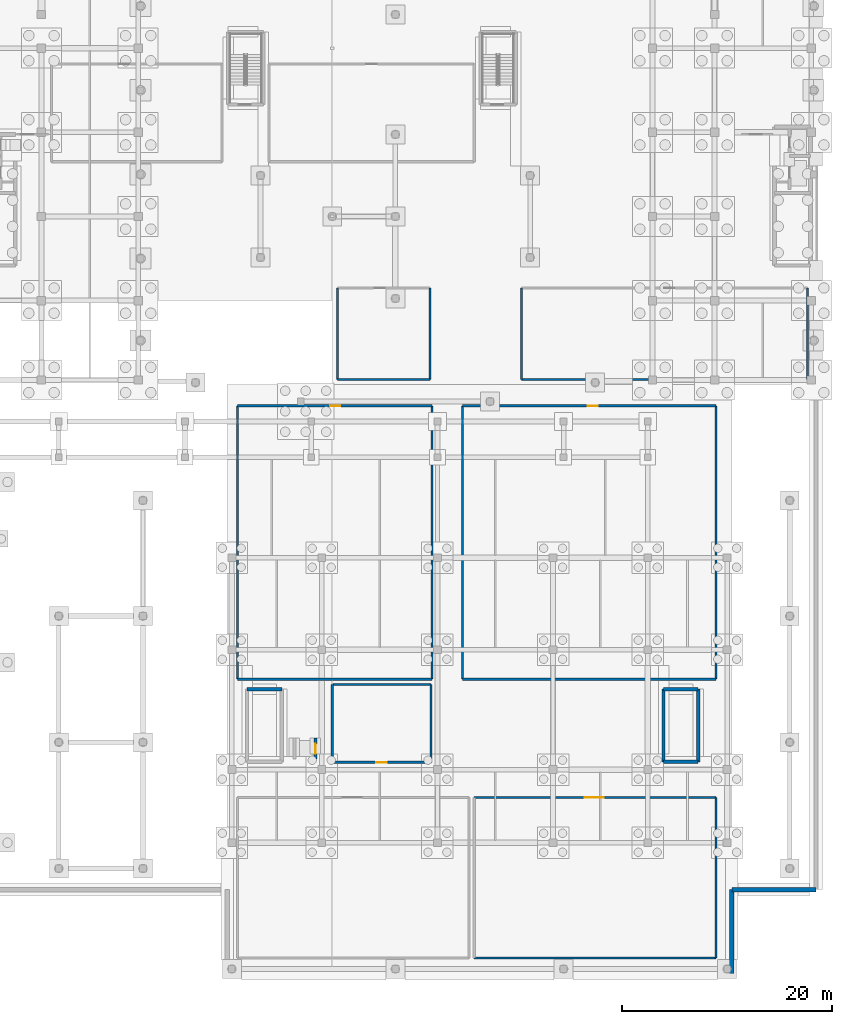
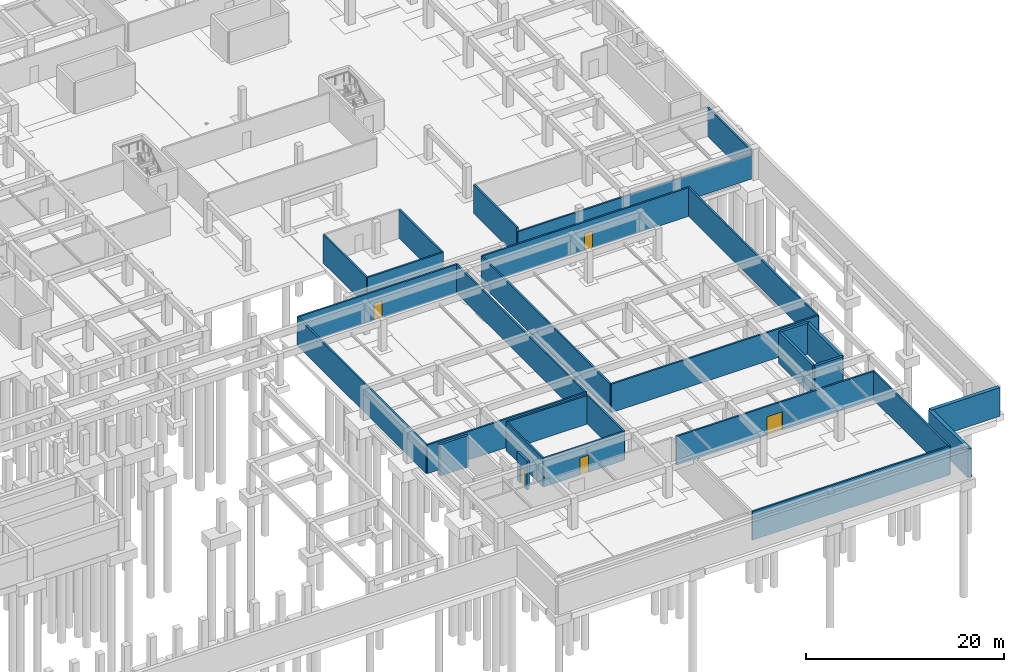
# One storey, part 24 of 35: 29 walls, 5 doors, 5 openings.
"""IFC4 building model written with IfcOpenShell, lengths in metres."""

from ifc_helpers import new_model, si_unit, direction, frame, frame_2d, origin, place, context, subcontext, project, spatial, rectangle, extrude, material, layer, layer_set, type_object, element, fill, save


model = new_model("IFC4")

# Units and contexts
model_context = context("Model", 3, precision=1e-05, world=origin(), true_north=direction((0.0, 1.0)))
body_context = subcontext(model_context, "Body", "Model", "MODEL_VIEW")
ifc_project = project(units=[si_unit("LENGTHUNIT", "METRE"), si_unit("AREAUNIT", "SQUARE_METRE"), si_unit("VOLUMEUNIT", "CUBIC_METRE"), si_unit("PLANEANGLEUNIT", "RADIAN"), si_unit("MASSUNIT", "GRAM", prefix="KILO")], contexts=[model_context])

# Site, building, storey
site_placement = place(None, origin())
site = spatial("IfcSite", under=ifc_project, at=site_placement, CompositionType="ELEMENT")
building_placement = place(site_placement, origin())
building = spatial("IfcBuilding", under=site, at=building_placement, Name="Keldmere Railside Commons", CompositionType="ELEMENT")
storey_placement = place(building_placement, frame((0.0, 0.0, -3.840087890625)))
storey = spatial("IfcBuildingStorey", under=building, at=storey_placement, Name="B1", CompositionType="ELEMENT", Elevation=-3.840087890625)

# Walls
ifc_material_1 = material(Name="Concrete H-40 (C40/50)", Category="concrete")
ifc_layer_1 = layer(ifc_material_1, 0.419921875, Name="Basement Retaining Wall 420")
ifc_layer_set_1 = layer_set([ifc_layer_1], Name="Concrete H-40 (C40/50)")
wall_type_1 = type_object("IfcWallType", Name="Basement Retaining Wall 420", PredefinedType="SOLIDWALL", material=ifc_layer_set_1)
for number, where, z_axis, x_axis, name in (
    (1, (184.0, 8.0, 0.0), (0.0, 0.0, 1.0), (-1.0, 0.0, 0.0), "RW-1 RW-B1-0004"),
    (2, (176.0, 8.0, 0.0), (0.0, 0.0, 1.0), (0.0, -1.0, 0.0), "RW-1 RW-B1-0005"),
):
    element("IfcWall", number, at=place(storey_placement, frame(where, z_axis=z_axis, x_axis=x_axis)), inside=storey, type_object=wall_type_1, Name=name, PredefinedType="SOLIDWALL", context=body_context, shape_type="SweptSolid", body=[
        extrude(rectangle(XDim=8.0, YDim=0.419921875, at=frame_2d((4.0, 0.0))), origin(), (0.0, 0.0, 1.0), 3.5400390625),
    ])

# Wall, opening, door
ifc_material_2 = material(Name="Concrete H-35 (C35/45)", Category="concrete")
ifc_layer_2 = layer(ifc_material_2, 0.280029296875, Name="Core Shear Wall 280")
ifc_layer_set_2 = layer_set([ifc_layer_2], Name="Concrete H-35 (C35/45)")
wall_type_2 = type_object("IfcWallType", Name="Core Shear Wall 280", PredefinedType="SHEAR", material=ifc_layer_set_2)
wall_1_placement = place(storey_placement, frame((136.39990234375, 20.39990234375, 0.0), z_axis=(0.0, 0.0, 1.0), x_axis=(0.0, 1.0, 0.0)))
wall_1 = element("IfcWall", 3, at=wall_1_placement, inside=storey, type_object=wall_type_2, Name="CSW-2 ALSH-B1-1029", PredefinedType="SHEAR", context=body_context, shape_type="SweptSolid", body=[
    extrude(rectangle(XDim=2.0, YDim=0.280029296875, at=frame_2d((1.0, 0.0))), origin(), (0.0, 0.0, 1.0), 3.52001953125),
])
opening_1_placement = place(wall_1_placement, frame((0.5, 0.0, 0.0)))
opening_1 = element("IfcOpeningElement", 4, at=opening_1_placement, cuts=wall_1, Name="Opening LD-3", PredefinedType="OPENING", context=body_context, shape_type="SweptSolid", body=[
    extrude(rectangle(XDim=0.949951171875, YDim=2.14990234375, at=frame_2d((0.47509765625, 1.074951171875))), frame((0.0, 0.14990234375, 0.0), z_axis=(0.0, -1.0, 0.0), x_axis=(1.0, 0.0, 0.0)), (0.0, 0.0, 1.0), 0.300048828125),
])
ifc_material_3 = material(Name="Steel F-24 (S235)", Category="steel")
door_type_1 = type_object("IfcDoorType", Name="Civic Lift Sliding Landing Door 950x2150", OperationType="SLIDING_TO_LEFT", PredefinedType="DOOR", material=ifc_material_3)
door_1_placement = place(opening_1_placement, origin())
door_1 = element("IfcDoor", 5, at=door_1_placement, inside=storey, type_object=door_type_1, Name="LD-3 PL-M1 B1", OperationType="SLIDING_TO_LEFT", OverallHeight=2.14990234375, OverallWidth=0.949951171875, PredefinedType="DOOR", context=body_context, shape_type="SweptSolid", body=[
    extrude(rectangle(XDim=0.949951171875, YDim=2.14990234375, at=frame_2d((0.47509765625, 1.074951171875))), frame((0.0, 0.02490234375, 0.0), z_axis=(0.0, -1.0, 0.0), x_axis=(1.0, 0.0, 0.0)), (0.0, 0.0, 1.0), 0.050048828125),
])
fill(opening_1, door_1)

# Walls
ifc_layer_3 = layer(ifc_material_2, 0.300048828125, Name="Interior Shear Wall 300")
ifc_layer_set_3 = layer_set([ifc_layer_3], Name="Concrete H-35 (C35/45)")
wall_type_3 = type_object("IfcWallType", Name="Interior Shear Wall 300", PredefinedType="SHEAR", material=ifc_layer_set_3)
for number, where, z_axis, x_axis, name in (
    (6, (129.909912109375, 27.050048828125, 0.0), (0.0, 0.0, 1.0), (1.0, 0.0, 0.0), "ISW-2 WAL-ST-M1-B1-N"),
    (7, (172.800048828125, 20.14990234375, 0.0), (0.0, 0.0, 1.0), (-1.0, 0.0, 0.0), "ISW-2 WAL-ST-M2-B1-S"),
):
    element("IfcWall", number, at=place(storey_placement, frame(where, z_axis=z_axis, x_axis=x_axis)), inside=storey, type_object=wall_type_3, Name=name, PredefinedType="SHEAR", context=body_context, shape_type="SweptSolid", body=[
        extrude(rectangle(XDim=3.2900390625, YDim=0.300048828125, at=frame_2d((1.64501953125, 0.0))), origin(), (0.0, 0.0, 1.0), 3.840087890625),
    ])
wall_2_placement = place(storey_placement, frame((172.800048828125, 27.050048828125, 0.0), z_axis=(0.0, 0.0, 1.0), x_axis=(0.0, -1.0, 0.0)))
element("IfcWall", 8, at=wall_2_placement, inside=storey, type_object=wall_type_3, Name="ISW-2 WAL-ST-M2-B1-E", PredefinedType="SHEAR", context=body_context, shape_type="SweptSolid", body=[
    extrude(rectangle(XDim=6.900146484375, YDim=0.300048828125, at=frame_2d((3.4501953125, 0.0))), origin(), (0.0, 0.0, 1.0), 3.840087890625),
])
wall_3_placement = place(storey_placement, frame((169.510009765625, 27.050048828125, 0.0), z_axis=(0.0, 0.0, 1.0), x_axis=(1.0, 0.0, 0.0)))
element("IfcWall", 9, at=wall_3_placement, inside=storey, type_object=wall_type_3, Name="ISW-2 WAL-ST-M2-B1-N", PredefinedType="SHEAR", context=body_context, shape_type="SweptSolid", body=[
    extrude(rectangle(XDim=3.2900390625, YDim=0.300048828125, at=frame_2d((1.64501953125, 0.0))), origin(), (0.0, 0.0, 1.0), 3.840087890625),
])
wall_4_placement = place(storey_placement, frame((169.510009765625, 20.14990234375, 0.0), z_axis=(0.0, 0.0, 1.0), x_axis=(0.0, 1.0, 0.0)))
element("IfcWall", 10, at=wall_4_placement, inside=storey, type_object=wall_type_3, Name="ISW-2 WAL-ST-M2-B1-W", PredefinedType="SHEAR", context=body_context, shape_type="SweptSolid", body=[
    extrude(rectangle(XDim=6.900146484375, YDim=0.300048828125, at=frame_2d((3.4501953125, 0.0))), origin(), (0.0, 0.0, 1.0), 3.840087890625),
])
ifc_material_4 = material(Name="Terracotta Brick Masonry", Category="masonry")
ifc_layer_4 = layer(ifc_material_4, 0.199951171875, Name="Plant Masonry Infill Wall 200")
ifc_layer_set_4 = layer_set([ifc_layer_4], Name="Terracotta Brick Masonry")
wall_type_4 = type_object("IfcWallType", Name="Plant Masonry Infill Wall 200", PredefinedType="SOLIDWALL", material=ifc_layer_set_4)
wall_5_placement = place(storey_placement, frame((151.5, 1.5, 0.0), z_axis=(0.0, 0.0, 1.0), x_axis=(1.0, 0.0, 0.0)))
element("IfcWall", 11, at=wall_5_placement, inside=storey, type_object=wall_type_4, Name="MW-1 IW-B1-0021", PredefinedType="SOLIDWALL", context=body_context, shape_type="SweptSolid", body=[
    extrude(rectangle(XDim=23.0, YDim=0.199951171875, at=frame_2d((11.5, 0.0))), origin(), (0.0, 0.0, 1.0), 3.52001953125),
])
wall_6_placement = place(storey_placement, frame((174.5, 1.5, 0.0), z_axis=(0.0, 0.0, 1.0), x_axis=(0.0, 1.0, 0.0)))
element("IfcWall", 12, at=wall_6_placement, inside=storey, type_object=wall_type_4, Name="MW-1 IW-B1-0022", PredefinedType="SOLIDWALL", context=body_context, shape_type="SweptSolid", body=[
    extrude(rectangle(XDim=15.25, YDim=0.199951171875, at=frame_2d((7.625, 0.0))), origin(), (0.0, 0.0, 1.0), 3.52001953125),
])

# Wall, opening, door
wall_7_placement = place(storey_placement, frame((174.5, 16.75, 0.0), z_axis=(0.0, 0.0, 1.0), x_axis=(-1.0, 0.0, 0.0)))
wall_7 = element("IfcWall", 13, at=wall_7_placement, inside=storey, type_object=wall_type_4, Name="MW-1 IW-B1-0023", PredefinedType="SOLIDWALL", context=body_context, shape_type="SweptSolid", body=[
    extrude(rectangle(XDim=23.0, YDim=0.199951171875, at=frame_2d((11.5, 0.0))), origin(), (0.0, 0.0, 1.0), 3.52001953125),
])
opening_2_placement = place(wall_7_placement, frame((10.699951171875, 0.0, 0.0)))
opening_2 = element("IfcOpeningElement", 14, at=opening_2_placement, cuts=wall_7, Name="Opening FD-6", PredefinedType="OPENING", context=body_context, shape_type="SweptSolid", body=[
    extrude(rectangle(XDim=1.800048828125, YDim=2.25, at=frame_2d((0.89990234375, 1.125))), frame((0.0, 0.10986328125, 0.0), z_axis=(0.0, -1.0, 0.0), x_axis=(1.0, 0.0, 0.0)), (0.0, 0.0, 1.0), 0.219970703125),
])
door_type_2 = type_object("IfcDoorType", Name="Transformer & Pump Room Double Fire Door 1800x2250", OperationType="DOUBLE_DOOR_SINGLE_SWING", PredefinedType="DOOR", material=ifc_material_3)
door_2_placement = place(opening_2_placement, origin())
door_2 = element("IfcDoor", 15, at=door_2_placement, inside=storey, type_object=door_type_2, Name="FD-6 IDR-B1-0006", OperationType="DOUBLE_DOOR_SINGLE_SWING", OverallHeight=2.25, OverallWidth=1.800048828125, PredefinedType="DOOR", context=body_context, shape_type="SweptSolid", body=[
    extrude(rectangle(XDim=1.800048828125, YDim=2.25, at=frame_2d((0.89990234375, 1.125))), frame((0.0, 0.02490234375, 0.0), z_axis=(0.0, -1.0, 0.0), x_axis=(1.0, 0.0, 0.0)), (0.0, 0.0, 1.0), 0.050048828125),
])
fill(opening_2, door_2)

# Walls
wall_8_placement = place(storey_placement, frame((150.39990234375, 28.0, 0.0), z_axis=(0.0, 0.0, 1.0), x_axis=(1.0, 0.0, 0.0)))
element("IfcWall", 16, at=wall_8_placement, inside=storey, type_object=wall_type_4, Name="MW-1 IW-B1-0025", PredefinedType="SOLIDWALL", context=body_context, shape_type="SweptSolid", body=[
    extrude(rectangle(XDim=24.10009765625, YDim=0.199951171875, at=frame_2d((12.050048828125, 0.0))), origin(), (0.0, 0.0, 1.0), 3.52001953125),
])
wall_9_placement = place(storey_placement, frame((174.5, 28.0, 0.0), z_axis=(0.0, 0.0, 1.0), x_axis=(0.0, 1.0, 0.0)))
element("IfcWall", 17, at=wall_9_placement, inside=storey, type_object=wall_type_4, Name="MW-1 IW-B1-0026", PredefinedType="SOLIDWALL", context=body_context, shape_type="SweptSolid", body=[
    extrude(rectangle(XDim=26.0, YDim=0.199951171875, at=frame_2d((13.0, 0.0))), origin(), (0.0, 0.0, 1.0), 3.52001953125),
])

# Wall, opening, door
wall_10_placement = place(storey_placement, frame((174.5, 54.0, 0.0), z_axis=(0.0, 0.0, 1.0), x_axis=(-1.0, 0.0, 0.0)))
wall_10 = element("IfcWall", 18, at=wall_10_placement, inside=storey, type_object=wall_type_4, Name="MW-1 IW-B1-0027", PredefinedType="SOLIDWALL", context=body_context, shape_type="SweptSolid", body=[
    extrude(rectangle(XDim=24.10009765625, YDim=0.199951171875, at=frame_2d((12.050048828125, 0.0))), origin(), (0.0, 0.0, 1.0), 3.52001953125),
])
opening_3_placement = place(wall_10_placement, frame((11.25, 0.0, 0.0)))
opening_3 = element("IfcOpeningElement", 19, at=opening_3_placement, cuts=wall_10, Name="Opening FD-3", PredefinedType="OPENING", context=body_context, shape_type="SweptSolid", body=[
    extrude(rectangle(XDim=0.949951171875, YDim=2.10009765625, at=frame_2d((0.47509765625, 1.050048828125))), frame((0.0, 0.10986328125, 0.0), z_axis=(0.0, -1.0, 0.0), x_axis=(1.0, 0.0, 0.0)), (0.0, 0.0, 1.0), 0.219970703125),
])
door_type_3 = type_object("IfcDoorType", Name="Plant & Riser Fire Door 950x2100", OperationType="NOTDEFINED", PredefinedType="DOOR", material=ifc_material_3)
door_3_placement = place(opening_3_placement, origin())
door_3 = element("IfcDoor", 20, at=door_3_placement, inside=storey, type_object=door_type_3, Name="FD-3 IDR-B1-0007", OperationType="SINGLE_SWING_LEFT", OverallHeight=2.10009765625, OverallWidth=0.949951171875, PredefinedType="DOOR", context=body_context, shape_type="SweptSolid", body=[
    extrude(rectangle(XDim=0.949951171875, YDim=2.10009765625, at=frame_2d((0.47509765625, 1.050048828125))), frame((0.0, 0.02490234375, 0.0), z_axis=(0.0, -1.0, 0.0), x_axis=(1.0, 0.0, 0.0)), (0.0, 0.0, 1.0), 0.050048828125),
])
fill(opening_3, door_3)

# Walls
wall_11_placement = place(storey_placement, frame((150.39990234375, 54.0, 0.0), z_axis=(0.0, 0.0, 1.0), x_axis=(0.0, -1.0, 0.0)))
element("IfcWall", 21, at=wall_11_placement, inside=storey, type_object=wall_type_4, Name="MW-1 IW-B1-0028", PredefinedType="SOLIDWALL", context=body_context, shape_type="SweptSolid", body=[
    extrude(rectangle(XDim=26.0, YDim=0.199951171875, at=frame_2d((13.0, 0.0))), origin(), (0.0, 0.0, 1.0), 3.52001953125),
])
wall_12_placement = place(storey_placement, frame((129.0, 28.0, 0.0), z_axis=(0.0, 0.0, 1.0), x_axis=(1.0, 0.0, 0.0)))
element("IfcWall", 22, at=wall_12_placement, inside=storey, type_object=wall_type_4, Name="MW-1 IW-B1-0065", PredefinedType="SOLIDWALL", context=body_context, shape_type="SweptSolid", body=[
    extrude(rectangle(XDim=18.5, YDim=0.199951171875, at=frame_2d((9.25, 0.0))), origin(), (0.0, 0.0, 1.0), 3.52001953125),
])
wall_13_placement = place(storey_placement, frame((147.5, 28.0, 0.0), z_axis=(0.0, 0.0, 1.0), x_axis=(0.0, 1.0, 0.0)))
element("IfcWall", 23, at=wall_13_placement, inside=storey, type_object=wall_type_4, Name="MW-1 IW-B1-0066", PredefinedType="SOLIDWALL", context=body_context, shape_type="SweptSolid", body=[
    extrude(rectangle(XDim=26.0, YDim=0.199951171875, at=frame_2d((13.0, 0.0))), origin(), (0.0, 0.0, 1.0), 3.52001953125),
])

# Wall, opening, door
wall_14_placement = place(storey_placement, frame((147.5, 54.0, 0.0), z_axis=(0.0, 0.0, 1.0), x_axis=(-1.0, 0.0, 0.0)))
wall_14 = element("IfcWall", 24, at=wall_14_placement, inside=storey, type_object=wall_type_4, Name="MW-1 IW-B1-0067", PredefinedType="SOLIDWALL", context=body_context, shape_type="SweptSolid", body=[
    extrude(rectangle(XDim=18.5, YDim=0.199951171875, at=frame_2d((9.25, 0.0))), origin(), (0.0, 0.0, 1.0), 3.52001953125),
])
opening_4_placement = place(wall_14_placement, frame((8.75, 0.0, 0.0)))
opening_4 = element("IfcOpeningElement", 25, at=opening_4_placement, cuts=wall_14, Name="Opening FD-3", PredefinedType="OPENING", context=body_context, shape_type="SweptSolid", body=[
    extrude(rectangle(XDim=0.949951171875, YDim=2.10009765625, at=frame_2d((0.47509765625, 1.050048828125))), frame((0.0, 0.10986328125, 0.0), z_axis=(0.0, -1.0, 0.0), x_axis=(1.0, 0.0, 0.0)), (0.0, 0.0, 1.0), 0.219970703125),
])
door_4_placement = place(opening_4_placement, origin())
door_4 = element("IfcDoor", 26, at=door_4_placement, inside=storey, type_object=door_type_3, Name="FD-3 IDR-B1-0017", OperationType="SINGLE_SWING_LEFT", OverallHeight=2.10009765625, OverallWidth=0.949951171875, PredefinedType="DOOR", context=body_context, shape_type="SweptSolid", body=[
    extrude(rectangle(XDim=0.949951171875, YDim=2.10009765625, at=frame_2d((0.47509765625, 1.050048828125))), frame((0.0, 0.02490234375, 0.0), z_axis=(0.0, -1.0, 0.0), x_axis=(1.0, 0.0, 0.0)), (0.0, 0.0, 1.0), 0.050048828125),
])
fill(opening_4, door_4)

# Walls
wall_15_placement = place(storey_placement, frame((129.0, 54.0, 0.0), z_axis=(0.0, 0.0, 1.0), x_axis=(0.0, -1.0, 0.0)))
element("IfcWall", 27, at=wall_15_placement, inside=storey, type_object=wall_type_4, Name="MW-1 IW-B1-0068", PredefinedType="SOLIDWALL", context=body_context, shape_type="SweptSolid", body=[
    extrude(rectangle(XDim=26.0, YDim=0.199951171875, at=frame_2d((13.0, 0.0))), origin(), (0.0, 0.0, 1.0), 3.52001953125),
])
wall_16_placement = place(storey_placement, frame((156.0, 56.5, 0.0), z_axis=(0.0, 0.0, 1.0), x_axis=(1.0, 0.0, 0.0)))
element("IfcWall", 28, at=wall_16_placement, inside=storey, type_object=wall_type_4, Name="MW-1 IW-B1-0069", PredefinedType="SOLIDWALL", context=body_context, shape_type="SweptSolid", body=[
    extrude(rectangle(XDim=27.199951171875, YDim=0.199951171875, at=frame_2d((13.60009765625, 0.0))), origin(), (0.0, 0.0, 1.0), 3.02001953125),
])
for number, where, z_axis, x_axis, name in (
    (29, (183.199951171875, 56.5, 0.0), (0.0, 0.0, 1.0), (0.0, 1.0, 0.0), "MW-1 IW-B1-0070"),
    (30, (156.0, 65.199951171875, 0.0), (0.0, 0.0, 1.0), (0.0, -1.0, 0.0), "MW-1 IW-B1-0072"),
):
    element("IfcWall", number, at=place(storey_placement, frame(where, z_axis=z_axis, x_axis=x_axis)), inside=storey, type_object=wall_type_4, Name=name, PredefinedType="SOLIDWALL", context=body_context, shape_type="SweptSolid", body=[
        extrude(rectangle(XDim=8.699951171875, YDim=0.199951171875, at=frame_2d((4.35009765625, 0.0))), origin(), (0.0, 0.0, 1.0), 3.52001953125),
    ])
wall_17_placement = place(storey_placement, frame((138.5, 56.5, 0.0), z_axis=(0.0, 0.0, 1.0), x_axis=(1.0, 0.0, 0.0)))
element("IfcWall", 31, at=wall_17_placement, inside=storey, type_object=wall_type_4, Name="MW-1 IW-B1-0073", PredefinedType="SOLIDWALL", context=body_context, shape_type="SweptSolid", body=[
    extrude(rectangle(XDim=8.800048828125, YDim=0.199951171875, at=frame_2d((4.39990234375, 0.0))), origin(), (0.0, 0.0, 1.0), 3.52001953125),
])
for number, where, z_axis, x_axis, name in (
    (32, (147.300048828125, 56.5, 0.0), (0.0, 0.0, 1.0), (0.0, 1.0, 0.0), "MW-1 IW-B1-0074"),
    (33, (138.5, 65.199951171875, 0.0), (0.0, 0.0, 1.0), (0.0, -1.0, 0.0), "MW-1 IW-B1-0076"),
):
    element("IfcWall", number, at=place(storey_placement, frame(where, z_axis=z_axis, x_axis=x_axis)), inside=storey, type_object=wall_type_4, Name=name, PredefinedType="SOLIDWALL", context=body_context, shape_type="SweptSolid", body=[
        extrude(rectangle(XDim=8.699951171875, YDim=0.199951171875, at=frame_2d((4.35009765625, 0.0))), origin(), (0.0, 0.0, 1.0), 3.52001953125),
    ])

# Wall, opening, door
wall_18_placement = place(storey_placement, frame((138.0, 20.10009765625, 0.0), z_axis=(0.0, 0.0, 1.0), x_axis=(1.0, 0.0, 0.0)))
wall_18 = element("IfcWall", 34, at=wall_18_placement, inside=storey, type_object=wall_type_4, Name="MW-1 IW-B1-0085", PredefinedType="SOLIDWALL", context=body_context, shape_type="SweptSolid", body=[
    extrude(rectangle(XDim=9.39990234375, YDim=0.199951171875, at=frame_2d((4.699951171875, 0.0))), origin(), (0.0, 0.0, 1.0), 3.52001953125),
])
opening_5_placement = place(wall_18_placement, frame((4.199951171875, 0.0, 0.0)))
opening_5 = element("IfcOpeningElement", 35, at=opening_5_placement, cuts=wall_18, Name="Opening FD-9", PredefinedType="OPENING", context=body_context, shape_type="SweptSolid", body=[
    extrude(rectangle(XDim=1.0, YDim=2.10009765625, at=frame_2d((0.5, 1.050048828125))), frame((0.0, 0.10986328125, 0.0), z_axis=(0.0, -1.0, 0.0), x_axis=(1.0, 0.0, 0.0)), (0.0, 0.0, 1.0), 0.219970703125),
])
door_type_4 = type_object("IfcDoorType", Name="Waste & Storage Fire Door 1000x2100", OperationType="NOTDEFINED", PredefinedType="DOOR", material=ifc_material_3)
door_5_placement = place(opening_5_placement, origin())
door_5 = element("IfcDoor", 36, at=door_5_placement, inside=storey, type_object=door_type_4, Name="FD-9 IDR-B1-0022", OperationType="SINGLE_SWING_RIGHT", OverallHeight=2.10009765625, OverallWidth=1.0, PredefinedType="DOOR", context=body_context, shape_type="SweptSolid", body=[
    extrude(rectangle(XDim=1.0, YDim=2.10009765625, at=frame_2d((0.5, 1.050048828125))), frame((0.0, 0.02490234375, 0.0), z_axis=(0.0, -1.0, 0.0), x_axis=(1.0, 0.0, 0.0)), (0.0, 0.0, 1.0), 0.050048828125),
])
fill(opening_5, door_5)

# Walls
wall_19_placement = place(storey_placement, frame((147.39990234375, 20.10009765625, 0.0), z_axis=(0.0, 0.0, 1.0), x_axis=(0.0, 1.0, 0.0)))
element("IfcWall", 37, at=wall_19_placement, inside=storey, type_object=wall_type_4, Name="MW-1 IW-B1-0086", PredefinedType="SOLIDWALL", context=body_context, shape_type="SweptSolid", body=[
    extrude(rectangle(XDim=7.39990234375, YDim=0.199951171875, at=frame_2d((3.699951171875, 0.0))), origin(), (0.0, 0.0, 1.0), 3.52001953125),
])
wall_20_placement = place(storey_placement, frame((147.39990234375, 27.5, 0.0), z_axis=(0.0, 0.0, 1.0), x_axis=(-1.0, 0.0, 0.0)))
element("IfcWall", 38, at=wall_20_placement, inside=storey, type_object=wall_type_4, Name="MW-1 IW-B1-0087", PredefinedType="SOLIDWALL", context=body_context, shape_type="SweptSolid", body=[
    extrude(rectangle(XDim=9.39990234375, YDim=0.199951171875, at=frame_2d((4.699951171875, 0.0))), origin(), (0.0, 0.0, 1.0), 3.52001953125),
])
wall_21_placement = place(storey_placement, frame((138.0, 27.5, 0.0), z_axis=(0.0, 0.0, 1.0), x_axis=(0.0, -1.0, 0.0)))
element("IfcWall", 39, at=wall_21_placement, inside=storey, type_object=wall_type_4, Name="MW-1 IW-B1-0088", PredefinedType="SOLIDWALL", context=body_context, shape_type="SweptSolid", body=[
    extrude(rectangle(XDim=7.39990234375, YDim=0.199951171875, at=frame_2d((3.699951171875, 0.0))), origin(), (0.0, 0.0, 1.0), 3.52001953125),
])

save(model, "model.ifc")
